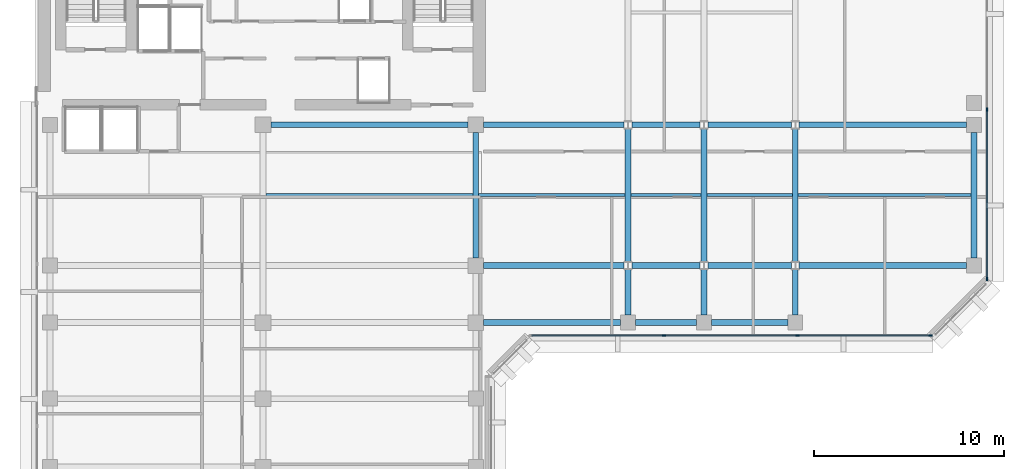
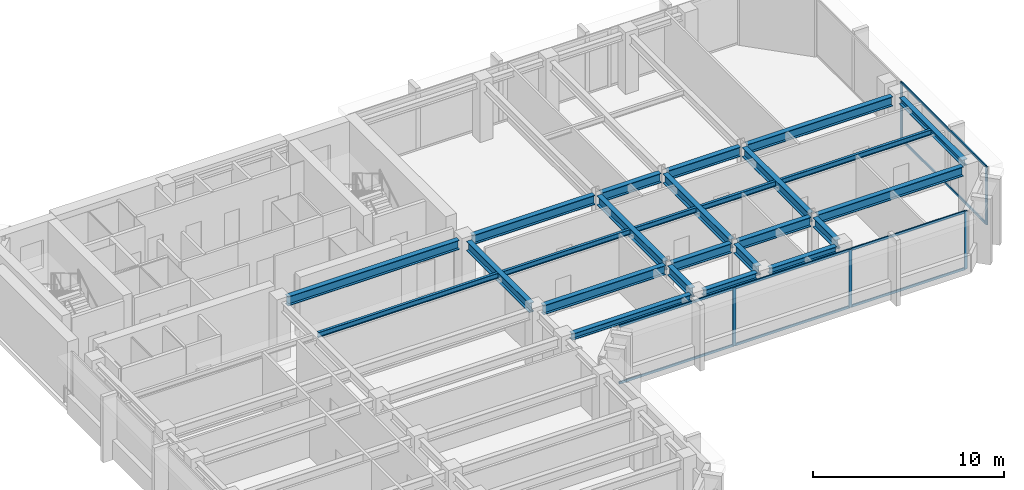
# One storey, part 3 of 12: 25 beams, 13 members, 2 elements without a shape of their own.
"""IFC4 building model written with IfcOpenShell, lengths in metres."""

from ifc_helpers import new_model, si_unit, direction, frame, origin, origin_2d, place, context, subcontext, project, spatial, rectangle, i_section, extrude, material, layer, layer_set, material_profile, profile_set, type_object, element, aggregate, save


model = new_model("IFC4")

# Units and contexts
model_context = context("Model", 3, precision=1e-05, world=origin(), true_north=direction((0.0, 1.0)))
body_context = subcontext(model_context, "Body", "Model", "MODEL_VIEW")
ifc_project = project(units=[si_unit("LENGTHUNIT", "METRE"), si_unit("AREAUNIT", "SQUARE_METRE"), si_unit("VOLUMEUNIT", "CUBIC_METRE"), si_unit("PLANEANGLEUNIT", "RADIAN"), si_unit("MASSUNIT", "GRAM", prefix="KILO")], contexts=[model_context])

# Site, building, storey
site_placement = place(None, origin())
site = spatial("IfcSite", under=ifc_project, at=site_placement, CompositionType="ELEMENT")
building_placement = place(site_placement, origin())
building = spatial("IfcBuilding", under=site, at=building_placement, Name="Kefirva Bronze Tower", CompositionType="ELEMENT")
storey_placement = place(building_placement, frame((0.0, 0.0, 256.409912109375)))
storey = spatial("IfcBuildingStorey", under=building, at=storey_placement, Name="L62", CompositionType="ELEMENT", Elevation=256.409912109375)

# Curtain wall, members
ifc_material_1 = material(Name="Bronze anodised aluminium", Category="aluminium")
ifc_layer = layer(ifc_material_1, 0.179931640625, Name="Bronze anodised aluminium")
ifc_layer_set = layer_set([ifc_layer], Name="Bronze anodised aluminium")
curtain_wall_type = type_object("IfcCurtainWallType", Name="Unitised Bronze Ribbon Curtain Wall Zone 3", PredefinedType="USERDEFINED", material=ifc_layer_set)
curtain_wall_1_placement = place(storey_placement, origin())
curtain_wall_1 = element("IfcCurtainWall", 1, at=curtain_wall_1_placement, inside=storey, type_object=curtain_wall_type, Name="L62 Curtain Wall 2", ObjectType="UNITISED CURTAIN WALL", PredefinedType="USERDEFINED")
ifc_material_profile_1 = material_profile(ifc_material_1, rectangle(XDim=0.074951171875, YDim=0.179931640625, at=origin_2d()), Name="ALU 75x180")
ifc_profile_set_1 = profile_set([ifc_material_profile_1], Name="Bronze anodised aluminium")
member_type_1 = type_object("IfcMemberType", Name="Bronze Mullion 75x180", PredefinedType="MULLION", material=ifc_profile_set_1)
member_1_placement = place(storey_placement, frame((33.0849609375, 22.1201171875, 0.0), z_axis=(0.0, 0.0, 1.0), x_axis=(0.0, 1.0, 0.0)))
member_1 = element("IfcMember", 2, at=member_1_placement, type_object=member_type_1, Name="CW-03 mullion 2", PredefinedType="MULLION", context=body_context, shape_type="SweptSolid", body=[
    extrude(rectangle(XDim=0.074951171875, YDim=0.179931640625, at=origin_2d()), origin(), (0.0, 0.0, 1.0), 3.710205078125),
])
member_2_placement = place(storey_placement, frame((40.114990234375, 22.1201171875, 0.0), z_axis=(0.0, 0.0, 1.0), x_axis=(0.0, 1.0, 0.0)))
member_2 = element("IfcMember", 3, at=member_2_placement, type_object=member_type_1, Name="CW-03 mullion 3", PredefinedType="MULLION", context=body_context, shape_type="SweptSolid", body=[
    extrude(rectangle(XDim=0.074951171875, YDim=0.179931640625, at=origin_2d()), origin(), (0.0, 0.0, 1.0), 3.710205078125),
])
member_3_placement = place(storey_placement, frame((47.107421875, 22.1201171875, 0.0), z_axis=(0.0, 0.0, 1.0), x_axis=(0.0, 1.0, 0.0)))
member_3 = element("IfcMember", 4, at=member_3_placement, type_object=member_type_1, Name="CW-03 mullion 4", PredefinedType="MULLION", context=body_context, shape_type="SweptSolid", body=[
    extrude(rectangle(XDim=0.074951171875, YDim=0.179931640625, at=origin_2d()), origin(), (0.0, 0.0, 1.0), 3.710205078125),
])

curtain_wall_2_placement = place(storey_placement, origin())
curtain_wall_2 = element("IfcCurtainWall", 5, at=curtain_wall_2_placement, inside=storey, type_object=curtain_wall_type, Name="L62 Curtain Wall 3", ObjectType="UNITISED CURTAIN WALL", PredefinedType="USERDEFINED")
member_4_placement = place(storey_placement, frame((50.080078125, 25.092529296875, 0.0), z_axis=(0.0, 0.0, 1.0), x_axis=(-1.0, 0.0, 0.0)))
member_4 = element("IfcMember", 6, at=member_4_placement, type_object=member_type_1, Name="CW-03 mullion 1", PredefinedType="MULLION", context=body_context, shape_type="SweptSolid", body=[
    extrude(rectangle(XDim=0.074951171875, YDim=0.179931640625, at=origin_2d()), origin(), (0.0, 0.0, 1.0), 3.710205078125),
])
member_5_placement = place(storey_placement, frame((50.080078125, 34.0, 0.0), z_axis=(0.0, 0.0, 1.0), x_axis=(-1.0, 0.0, 0.0)))
member_5 = element("IfcMember", 7, at=member_5_placement, type_object=member_type_1, Name="CW-03 mullion 2", PredefinedType="MULLION", context=body_context, shape_type="SweptSolid", body=[
    extrude(rectangle(XDim=0.074951171875, YDim=0.179931640625, at=origin_2d()), origin(), (0.0, 0.0, 1.0), 3.710205078125),
])

# Member
ifc_material_profile_2 = material_profile(ifc_material_1, rectangle(XDim=0.074951171875, YDim=0.14990234375, at=origin_2d()), Name="ALU 75x150")
ifc_profile_set_2 = profile_set([ifc_material_profile_2], Name="Bronze anodised aluminium")
member_type_2 = type_object("IfcMemberType", Name="Bronze Transom 75x150", PredefinedType="USERDEFINED", material=ifc_profile_set_2)
member_6_placement = place(storey_placement, frame((26.1298828125, 22.1201171875, 0.03759765625), z_axis=(1.0, 0.0, 0.0), x_axis=(0.0, 1.0, 0.0)))
member_6 = element("IfcMember", 8, at=member_6_placement, type_object=member_type_2, Name="CW-03 transom 1.1", ObjectType="TRANSOM", PredefinedType="USERDEFINED", context=body_context, shape_type="SweptSolid", body=[
    extrude(rectangle(XDim=0.074951171875, YDim=0.14990234375, at=origin_2d()), origin(), (0.0, 0.0, 1.0), 6.917724609375),
])

member_7_placement = place(storey_placement, frame((26.1298828125, 22.1201171875, 3.672607421875), z_axis=(1.0, 0.0, 0.0), x_axis=(0.0, 1.0, 0.0)))
member_7 = element("IfcMember", 9, at=member_7_placement, type_object=member_type_2, Name="CW-03 transom 1.2", ObjectType="TRANSOM", PredefinedType="USERDEFINED", context=body_context, shape_type="SweptSolid", body=[
    extrude(rectangle(XDim=0.074951171875, YDim=0.14990234375, at=origin_2d()), origin(), (0.0, 0.0, 1.0), 6.917724609375),
])

member_8_placement = place(storey_placement, frame((33.12255859375, 22.1201171875, 0.03759765625), z_axis=(1.0, 0.0, 0.0), x_axis=(0.0, 1.0, 0.0)))
member_8 = element("IfcMember", 10, at=member_8_placement, type_object=member_type_2, Name="CW-03 transom 2.1", ObjectType="TRANSOM", PredefinedType="USERDEFINED", context=body_context, shape_type="SweptSolid", body=[
    extrude(rectangle(XDim=0.074951171875, YDim=0.14990234375, at=origin_2d()), origin(), (0.0, 0.0, 1.0), 6.954833984375),
])

member_9_placement = place(storey_placement, frame((33.12255859375, 22.1201171875, 3.672607421875), z_axis=(1.0, 0.0, 0.0), x_axis=(0.0, 1.0, 0.0)))
member_9 = element("IfcMember", 11, at=member_9_placement, type_object=member_type_2, Name="CW-03 transom 2.2", ObjectType="TRANSOM", PredefinedType="USERDEFINED", context=body_context, shape_type="SweptSolid", body=[
    extrude(rectangle(XDim=0.074951171875, YDim=0.14990234375, at=origin_2d()), origin(), (0.0, 0.0, 1.0), 6.954833984375),
])

member_10_placement = place(storey_placement, frame((40.152587890625, 22.1201171875, 0.03759765625), z_axis=(1.0, 0.0, 0.0), x_axis=(0.0, 1.0, 0.0)))
member_10 = element("IfcMember", 12, at=member_10_placement, type_object=member_type_2, Name="CW-03 transom 3.1", ObjectType="TRANSOM", PredefinedType="USERDEFINED", context=body_context, shape_type="SweptSolid", body=[
    extrude(rectangle(XDim=0.074951171875, YDim=0.14990234375, at=origin_2d()), origin(), (0.0, 0.0, 1.0), 6.91748046875),
])

member_11_placement = place(storey_placement, frame((40.152587890625, 22.1201171875, 3.672607421875), z_axis=(1.0, 0.0, 0.0), x_axis=(0.0, 1.0, 0.0)))
member_11 = element("IfcMember", 13, at=member_11_placement, type_object=member_type_2, Name="CW-03 transom 3.2", ObjectType="TRANSOM", PredefinedType="USERDEFINED", context=body_context, shape_type="SweptSolid", body=[
    extrude(rectangle(XDim=0.074951171875, YDim=0.14990234375, at=origin_2d()), origin(), (0.0, 0.0, 1.0), 6.91748046875),
])

aggregate(curtain_wall_1, [member_1, member_2, member_3, member_6, member_7, member_8, member_9, member_10, member_11])

member_12_placement = place(storey_placement, frame((50.080078125, 25.1298828125, 0.03759765625), z_axis=(0.0, 1.0, 0.0), x_axis=(-1.0, 0.0, 0.0)))
member_12 = element("IfcMember", 14, at=member_12_placement, type_object=member_type_2, Name="CW-03 transom 1.1", ObjectType="TRANSOM", PredefinedType="USERDEFINED", context=body_context, shape_type="SweptSolid", body=[
    extrude(rectangle(XDim=0.074951171875, YDim=0.14990234375, at=origin_2d()), origin(), (0.0, 0.0, 1.0), 8.83251953125),
])

member_13_placement = place(storey_placement, frame((50.080078125, 25.1298828125, 3.672607421875), z_axis=(0.0, 1.0, 0.0), x_axis=(-1.0, 0.0, 0.0)))
member_13 = element("IfcMember", 15, at=member_13_placement, type_object=member_type_2, Name="CW-03 transom 1.2", ObjectType="TRANSOM", PredefinedType="USERDEFINED", context=body_context, shape_type="SweptSolid", body=[
    extrude(rectangle(XDim=0.074951171875, YDim=0.14990234375, at=origin_2d()), origin(), (0.0, 0.0, 1.0), 8.83251953125),
])

aggregate(curtain_wall_2, [member_4, member_5, member_12, member_13])

# Beams
ifc_material_2 = material(Name="Steel S355", Category="steel")
ifc_material_profile_3 = material_profile(ifc_material_2, i_section(OverallWidth=0.159912109375, OverallDepth=0.330078125, WebThickness=0.007568359375, FlangeThickness=0.011474609375, at=origin_2d()), Name="IPE 330")
ifc_profile_set_3 = profile_set([ifc_material_profile_3], Name="Steel S355")
beam_type_1 = type_object("IfcBeamType", Name="Steel Floor Joist IPE 330", PredefinedType="JOIST", material=ifc_profile_set_3)
beam_1_placement = place(storey_placement, frame((12.14990234375, 29.5, 3.545166015625), z_axis=(1.0, 0.0, 0.0), x_axis=(0.0, 1.0, 0.0)))
element("IfcBeam", 16, at=beam_1_placement, inside=storey, type_object=beam_type_1, Name="L62 JST-L62-12-295", PredefinedType="JOIST", context=body_context, shape_type="SweptSolid", body=[
    extrude(i_section(OverallWidth=0.159912109375, OverallDepth=0.330078125, WebThickness=0.007568359375, FlangeThickness=0.011474609375, at=origin_2d()), origin(), (0.0, 0.0, 1.0), 10.900146484375),
])
beam_2_placement = place(storey_placement, frame((23.35009765625, 29.5, 3.545166015625), z_axis=(1.0, 0.0, 0.0), x_axis=(0.0, 1.0, 0.0)))
element("IfcBeam", 17, at=beam_2_placement, inside=storey, type_object=beam_type_1, Name="L62 JST-L62-23-295", PredefinedType="JOIST", context=body_context, shape_type="SweptSolid", body=[
    extrude(i_section(OverallWidth=0.159912109375, OverallDepth=0.330078125, WebThickness=0.007568359375, FlangeThickness=0.011474609375, at=origin_2d()), origin(), (0.0, 0.0, 1.0), 7.699951171875),
])
beam_3_placement = place(storey_placement, frame((31.35009765625, 29.5, 3.545166015625), z_axis=(1.0, 0.0, 0.0), x_axis=(0.0, 1.0, 0.0)))
element("IfcBeam", 18, at=beam_3_placement, inside=storey, type_object=beam_type_1, Name="L62 JST-L62-31-295", PredefinedType="JOIST", context=body_context, shape_type="SweptSolid", body=[
    extrude(i_section(OverallWidth=0.159912109375, OverallDepth=0.330078125, WebThickness=0.007568359375, FlangeThickness=0.011474609375, at=origin_2d()), origin(), (0.0, 0.0, 1.0), 3.699951171875),
])
beam_4_placement = place(storey_placement, frame((35.35009765625, 29.5, 3.545166015625), z_axis=(1.0, 0.0, 0.0), x_axis=(0.0, 1.0, 0.0)))
element("IfcBeam", 19, at=beam_4_placement, inside=storey, type_object=beam_type_1, Name="L62 JST-L62-35-295", PredefinedType="JOIST", context=body_context, shape_type="SweptSolid", body=[
    extrude(i_section(OverallWidth=0.159912109375, OverallDepth=0.330078125, WebThickness=0.007568359375, FlangeThickness=0.011474609375, at=origin_2d()), origin(), (0.0, 0.0, 1.0), 4.5),
])
beam_5_placement = place(storey_placement, frame((40.14990234375, 29.5, 3.545166015625), z_axis=(1.0, 0.0, 0.0), x_axis=(0.0, 1.0, 0.0)))
element("IfcBeam", 20, at=beam_5_placement, inside=storey, type_object=beam_type_1, Name="L62 JST-L62-40-295", PredefinedType="JOIST", context=body_context, shape_type="SweptSolid", body=[
    extrude(i_section(OverallWidth=0.159912109375, OverallDepth=0.330078125, WebThickness=0.007568359375, FlangeThickness=0.011474609375, at=origin_2d()), origin(), (0.0, 0.0, 1.0), 9.10009765625),
])
ifc_material_profile_4 = material_profile(ifc_material_2, i_section(OverallWidth=0.300048828125, OverallDepth=0.60009765625, WebThickness=0.015380859375, FlangeThickness=0.030029296875, at=origin_2d()), Name="HEB 600")
ifc_profile_set_4 = profile_set([ifc_material_profile_4], Name="Steel S355")
beam_type_2 = type_object("IfcBeamType", Name="Steel Girder HEB 600", PredefinedType="USERDEFINED", material=ifc_profile_set_4)
beam_6_placement = place(storey_placement, frame((23.610107421875, 25.800048828125, 3.41015625), z_axis=(1.0, 0.0, 0.0), x_axis=(0.0, 1.0, 0.0)))
element("IfcBeam", 21, at=beam_6_placement, inside=storey, type_object=beam_type_2, Name="L62 BM-L62-EW-23-258", ObjectType="GIRDER", PredefinedType="USERDEFINED", context=body_context, shape_type="SweptSolid", body=[
    extrude(i_section(OverallWidth=0.300048828125, OverallDepth=0.60009765625, WebThickness=0.015380859375, FlangeThickness=0.030029296875, at=origin_2d()), origin(), (0.0, 0.0, 1.0), 7.3837890625),
])
beam_7_placement = place(storey_placement, frame((31.406005859375, 25.800048828125, 3.41015625), z_axis=(1.0, 0.0, 0.0), x_axis=(0.0, 1.0, 0.0)))
element("IfcBeam", 22, at=beam_7_placement, inside=storey, type_object=beam_type_2, Name="L62 BM-L62-EW-31-258", ObjectType="GIRDER", PredefinedType="USERDEFINED", context=body_context, shape_type="SweptSolid", body=[
    extrude(i_section(OverallWidth=0.300048828125, OverallDepth=0.60009765625, WebThickness=0.015380859375, FlangeThickness=0.030029296875, at=origin_2d()), origin(), (0.0, 0.0, 1.0), 3.587890625),
])
beam_8_placement = place(storey_placement, frame((35.406005859375, 25.800048828125, 3.41015625), z_axis=(1.0, 0.0, 0.0), x_axis=(0.0, 1.0, 0.0)))
element("IfcBeam", 23, at=beam_8_placement, inside=storey, type_object=beam_type_2, Name="L62 BM-L62-EW-35-258", ObjectType="GIRDER", PredefinedType="USERDEFINED", context=body_context, shape_type="SweptSolid", body=[
    extrude(i_section(OverallWidth=0.300048828125, OverallDepth=0.60009765625, WebThickness=0.015380859375, FlangeThickness=0.030029296875, at=origin_2d()), origin(), (0.0, 0.0, 1.0), 4.387939453125),
])
beam_9_placement = place(storey_placement, frame((40.2060546875, 25.800048828125, 3.41015625), z_axis=(1.0, 0.0, 0.0), x_axis=(0.0, 1.0, 0.0)))
element("IfcBeam", 24, at=beam_9_placement, inside=storey, type_object=beam_type_2, Name="L62 BM-L62-EW-40-258", ObjectType="GIRDER", PredefinedType="USERDEFINED", context=body_context, shape_type="SweptSolid", body=[
    extrude(i_section(OverallWidth=0.300048828125, OverallDepth=0.60009765625, WebThickness=0.015380859375, FlangeThickness=0.030029296875, at=origin_2d()), origin(), (0.0, 0.0, 1.0), 8.803955078125),
])
beam_10_placement = place(storey_placement, frame((12.409912109375, 33.199951171875, 3.41015625), z_axis=(1.0, 0.0, 0.0), x_axis=(0.0, 1.0, 0.0)))
element("IfcBeam", 25, at=beam_10_placement, inside=storey, type_object=beam_type_2, Name="L62 BM-L62-EW-12-332", ObjectType="GIRDER", PredefinedType="USERDEFINED", context=body_context, shape_type="SweptSolid", body=[
    extrude(i_section(OverallWidth=0.300048828125, OverallDepth=0.60009765625, WebThickness=0.015380859375, FlangeThickness=0.030029296875, at=origin_2d()), origin(), (0.0, 0.0, 1.0), 10.380126953125),
])
beam_11_placement = place(storey_placement, frame((23.610107421875, 33.199951171875, 3.41015625), z_axis=(1.0, 0.0, 0.0), x_axis=(0.0, 1.0, 0.0)))
element("IfcBeam", 26, at=beam_11_placement, inside=storey, type_object=beam_type_2, Name="L62 BM-L62-EW-23-332", ObjectType="GIRDER", PredefinedType="USERDEFINED", context=body_context, shape_type="SweptSolid", body=[
    extrude(i_section(OverallWidth=0.300048828125, OverallDepth=0.60009765625, WebThickness=0.015380859375, FlangeThickness=0.030029296875, at=origin_2d()), origin(), (0.0, 0.0, 1.0), 7.3837890625),
])
beam_12_placement = place(storey_placement, frame((31.406005859375, 33.199951171875, 3.41015625), z_axis=(1.0, 0.0, 0.0), x_axis=(0.0, 1.0, 0.0)))
element("IfcBeam", 27, at=beam_12_placement, inside=storey, type_object=beam_type_2, Name="L62 BM-L62-EW-31-332", ObjectType="GIRDER", PredefinedType="USERDEFINED", context=body_context, shape_type="SweptSolid", body=[
    extrude(i_section(OverallWidth=0.300048828125, OverallDepth=0.60009765625, WebThickness=0.015380859375, FlangeThickness=0.030029296875, at=origin_2d()), origin(), (0.0, 0.0, 1.0), 3.587890625),
])
beam_13_placement = place(storey_placement, frame((35.406005859375, 33.199951171875, 3.41015625), z_axis=(1.0, 0.0, 0.0), x_axis=(0.0, 1.0, 0.0)))
element("IfcBeam", 28, at=beam_13_placement, inside=storey, type_object=beam_type_2, Name="L62 BM-L62-EW-35-332", ObjectType="GIRDER", PredefinedType="USERDEFINED", context=body_context, shape_type="SweptSolid", body=[
    extrude(i_section(OverallWidth=0.300048828125, OverallDepth=0.60009765625, WebThickness=0.015380859375, FlangeThickness=0.030029296875, at=origin_2d()), origin(), (0.0, 0.0, 1.0), 4.387939453125),
])
beam_14_placement = place(storey_placement, frame((40.2060546875, 33.199951171875, 3.41015625), z_axis=(1.0, 0.0, 0.0), x_axis=(0.0, 1.0, 0.0)))
element("IfcBeam", 29, at=beam_14_placement, inside=storey, type_object=beam_type_2, Name="L62 BM-L62-EW-40-332", ObjectType="GIRDER", PredefinedType="USERDEFINED", context=body_context, shape_type="SweptSolid", body=[
    extrude(i_section(OverallWidth=0.300048828125, OverallDepth=0.60009765625, WebThickness=0.015380859375, FlangeThickness=0.030029296875, at=origin_2d()), origin(), (0.0, 0.0, 1.0), 8.803955078125),
])
beam_15_placement = place(storey_placement, frame((23.199951171875, 26.2099609375, 3.41015625), z_axis=(0.0, 1.0, 0.0), x_axis=(-1.0, 0.0, 0.0)))
element("IfcBeam", 30, at=beam_15_placement, inside=storey, type_object=beam_type_2, Name="L62 BM-L62-NS-232-25", ObjectType="GIRDER", PredefinedType="USERDEFINED", context=body_context, shape_type="SweptSolid", body=[
    extrude(i_section(OverallWidth=0.300048828125, OverallDepth=0.60009765625, WebThickness=0.015380859375, FlangeThickness=0.030029296875, at=origin_2d()), origin(), (0.0, 0.0, 1.0), 6.580078125),
])
beam_16_placement = place(storey_placement, frame((31.199951171875, 23.18994140625, 3.41015625), z_axis=(0.0, 1.0, 0.0), x_axis=(-1.0, 0.0, 0.0)))
element("IfcBeam", 31, at=beam_16_placement, inside=storey, type_object=beam_type_2, Name="L62 BM-L62-NS-312-22", ObjectType="GIRDER", PredefinedType="USERDEFINED", context=body_context, shape_type="SweptSolid", body=[
    extrude(i_section(OverallWidth=0.300048828125, OverallDepth=0.60009765625, WebThickness=0.015380859375, FlangeThickness=0.030029296875, at=origin_2d()), origin(), (0.0, 0.0, 1.0), 2.392578125),
])
beam_17_placement = place(storey_placement, frame((31.199951171875, 26.017578125, 3.41015625), z_axis=(0.0, 1.0, 0.0), x_axis=(-1.0, 0.0, 0.0)))
element("IfcBeam", 32, at=beam_17_placement, inside=storey, type_object=beam_type_2, Name="L62 BM-L62-NS-312-25", ObjectType="GIRDER", PredefinedType="USERDEFINED", context=body_context, shape_type="SweptSolid", body=[
    extrude(i_section(OverallWidth=0.300048828125, OverallDepth=0.60009765625, WebThickness=0.015380859375, FlangeThickness=0.030029296875, at=origin_2d()), origin(), (0.0, 0.0, 1.0), 6.96484375),
])
beam_18_placement = place(storey_placement, frame((35.199951171875, 23.18994140625, 3.41015625), z_axis=(0.0, 1.0, 0.0), x_axis=(-1.0, 0.0, 0.0)))
element("IfcBeam", 33, at=beam_18_placement, inside=storey, type_object=beam_type_2, Name="L62 BM-L62-NS-352-22", ObjectType="GIRDER", PredefinedType="USERDEFINED", context=body_context, shape_type="SweptSolid", body=[
    extrude(i_section(OverallWidth=0.300048828125, OverallDepth=0.60009765625, WebThickness=0.015380859375, FlangeThickness=0.030029296875, at=origin_2d()), origin(), (0.0, 0.0, 1.0), 2.392578125),
])
beam_19_placement = place(storey_placement, frame((35.199951171875, 26.017578125, 3.41015625), z_axis=(0.0, 1.0, 0.0), x_axis=(-1.0, 0.0, 0.0)))
element("IfcBeam", 34, at=beam_19_placement, inside=storey, type_object=beam_type_2, Name="L62 BM-L62-NS-352-25", ObjectType="GIRDER", PredefinedType="USERDEFINED", context=body_context, shape_type="SweptSolid", body=[
    extrude(i_section(OverallWidth=0.300048828125, OverallDepth=0.60009765625, WebThickness=0.015380859375, FlangeThickness=0.030029296875, at=origin_2d()), origin(), (0.0, 0.0, 1.0), 6.96484375),
])
beam_20_placement = place(storey_placement, frame((40.0, 23.18994140625, 3.41015625), z_axis=(0.0, 1.0, 0.0), x_axis=(-1.0, 0.0, 0.0)))
element("IfcBeam", 35, at=beam_20_placement, inside=storey, type_object=beam_type_2, Name="L62 BM-L62-NS-400-22", ObjectType="GIRDER", PredefinedType="USERDEFINED", context=body_context, shape_type="SweptSolid", body=[
    extrude(i_section(OverallWidth=0.300048828125, OverallDepth=0.60009765625, WebThickness=0.015380859375, FlangeThickness=0.030029296875, at=origin_2d()), origin(), (0.0, 0.0, 1.0), 2.392578125),
])
beam_21_placement = place(storey_placement, frame((40.0, 26.017578125, 3.41015625), z_axis=(0.0, 1.0, 0.0), x_axis=(-1.0, 0.0, 0.0)))
element("IfcBeam", 36, at=beam_21_placement, inside=storey, type_object=beam_type_2, Name="L62 BM-L62-NS-400-25", ObjectType="GIRDER", PredefinedType="USERDEFINED", context=body_context, shape_type="SweptSolid", body=[
    extrude(i_section(OverallWidth=0.300048828125, OverallDepth=0.60009765625, WebThickness=0.015380859375, FlangeThickness=0.030029296875, at=origin_2d()), origin(), (0.0, 0.0, 1.0), 6.96484375),
])
ifc_material_profile_5 = material_profile(ifc_material_2, i_section(OverallWidth=0.300048828125, OverallDepth=0.39990234375, WebThickness=0.013427734375, FlangeThickness=0.02392578125, at=origin_2d()), Name="HEB 400")
ifc_profile_set_5 = profile_set([ifc_material_profile_5], Name="Steel S355")
beam_type_3 = type_object("IfcBeamType", Name="Steel Spandrel HEB 400 Ext", PredefinedType="SPANDREL", material=ifc_profile_set_5)
beam_22_placement = place(storey_placement, frame((23.610107421875, 22.800048828125, 3.510009765625), z_axis=(1.0, 0.0, 0.0), x_axis=(0.0, 1.0, 0.0)))
element("IfcBeam", 37, at=beam_22_placement, inside=storey, type_object=beam_type_3, Name="L62 BM-L62-EW-23-228", PredefinedType="SPANDREL", context=body_context, shape_type="SweptSolid", body=[
    extrude(i_section(OverallWidth=0.300048828125, OverallDepth=0.39990234375, WebThickness=0.013427734375, FlangeThickness=0.02392578125, at=origin_2d()), origin(), (0.0, 0.0, 1.0), 7.199951171875),
])
beam_23_placement = place(storey_placement, frame((31.590087890625, 22.800048828125, 3.510009765625), z_axis=(1.0, 0.0, 0.0), x_axis=(0.0, 1.0, 0.0)))
element("IfcBeam", 38, at=beam_23_placement, inside=storey, type_object=beam_type_3, Name="L62 BM-L62-EW-31-228", PredefinedType="SPANDREL", context=body_context, shape_type="SweptSolid", body=[
    extrude(i_section(OverallWidth=0.300048828125, OverallDepth=0.39990234375, WebThickness=0.013427734375, FlangeThickness=0.02392578125, at=origin_2d()), origin(), (0.0, 0.0, 1.0), 3.219970703125),
])
beam_24_placement = place(storey_placement, frame((35.590087890625, 22.800048828125, 3.510009765625), z_axis=(1.0, 0.0, 0.0), x_axis=(0.0, 1.0, 0.0)))
element("IfcBeam", 39, at=beam_24_placement, inside=storey, type_object=beam_type_3, Name="L62 BM-L62-EW-35-228", PredefinedType="SPANDREL", context=body_context, shape_type="SweptSolid", body=[
    extrude(i_section(OverallWidth=0.300048828125, OverallDepth=0.39990234375, WebThickness=0.013427734375, FlangeThickness=0.02392578125, at=origin_2d()), origin(), (0.0, 0.0, 1.0), 4.02001953125),
])
beam_25_placement = place(storey_placement, frame((49.39990234375, 26.18994140625, 3.510009765625), z_axis=(0.0, 1.0, 0.0), x_axis=(-1.0, 0.0, 0.0)))
element("IfcBeam", 40, at=beam_25_placement, inside=storey, type_object=beam_type_3, Name="L62 BM-L62-NS-494-25", PredefinedType="SPANDREL", context=body_context, shape_type="SweptSolid", body=[
    extrude(i_section(OverallWidth=0.300048828125, OverallDepth=0.39990234375, WebThickness=0.013427734375, FlangeThickness=0.02392578125, at=origin_2d()), origin(), (0.0, 0.0, 1.0), 6.6201171875),
])

save(model, "model.ifc")
